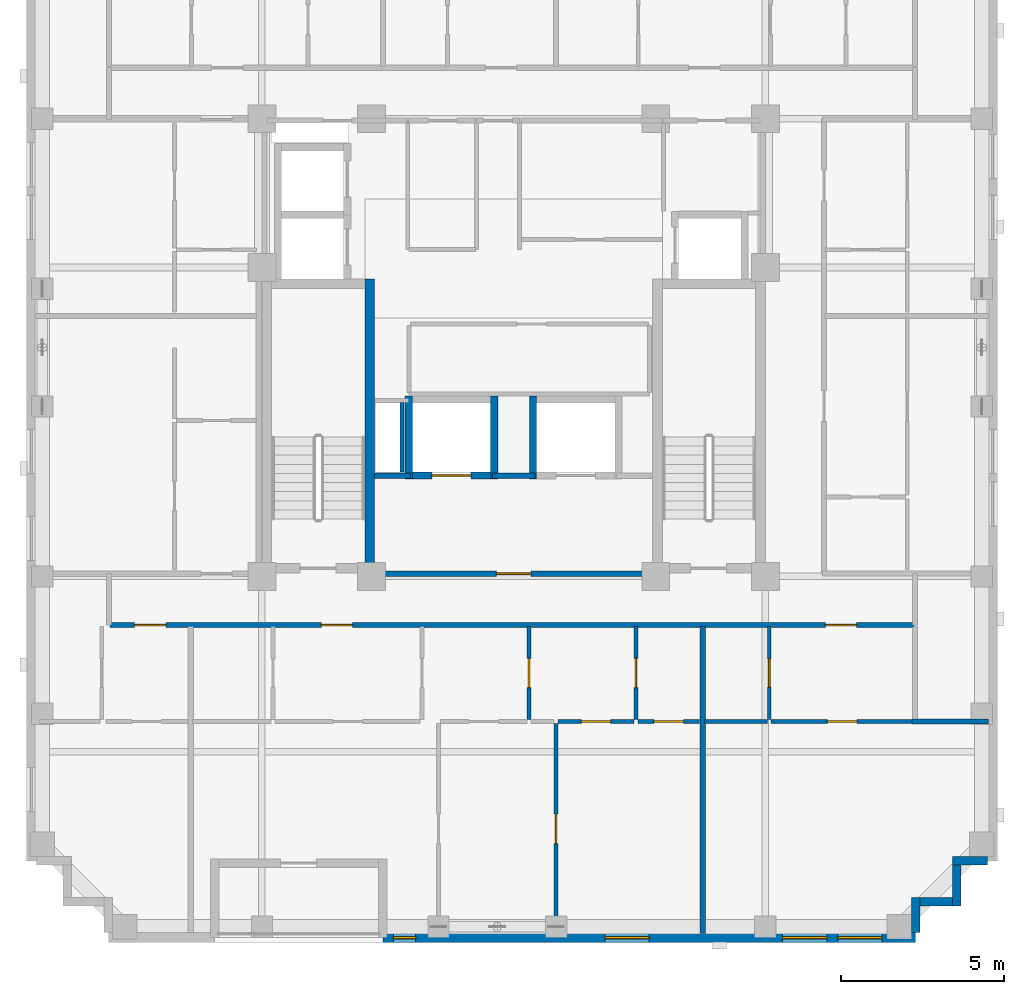
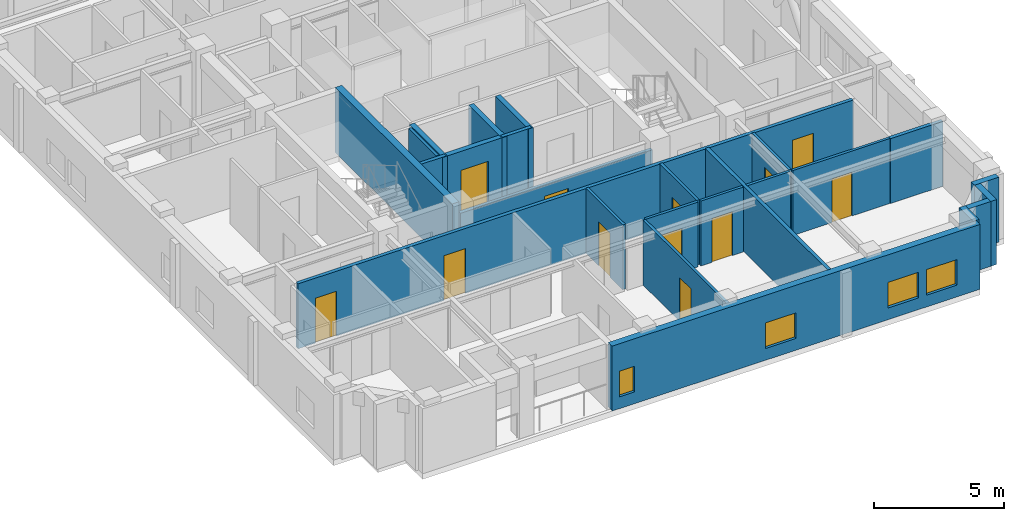
# One storey, part 3 of 11: 25 walls, 12 doors, 4 windows, 16 openings.
"""IFC4 building model written with IfcOpenShell, lengths in metres."""

from ifc_helpers import new_model, si_unit, derived_unit, direction, frame, frame_2d, origin, place, context, subcontext, project, spatial, rectangle, extrude, material, layer, layer_set, type_object, element, fill, save


model = new_model("IFC4")

# Units and contexts
model_context = context("Model", 3, precision=1e-05, world=origin(), true_north=direction((0.0, 1.0)))
body_context = subcontext(model_context, "Body", "Model", "MODEL_VIEW")
ifc_project = project(units=[si_unit("LENGTHUNIT", "METRE"), si_unit("AREAUNIT", "SQUARE_METRE"), si_unit("VOLUMEUNIT", "CUBIC_METRE"), si_unit("PLANEANGLEUNIT", "RADIAN"), si_unit("MASSUNIT", "GRAM", prefix="KILO"), derived_unit("THERMALTRANSMITTANCEUNIT", [(si_unit("MASSUNIT", "GRAM", prefix="KILO"), 1), (si_unit("TIMEUNIT", "SECOND"), -3), (si_unit("THERMODYNAMICTEMPERATUREUNIT", "KELVIN"), -1)])], contexts=[model_context])

# Site, building, storey
site_placement = place(None, origin())
site = spatial("IfcSite", under=ifc_project, at=site_placement, CompositionType="ELEMENT")
building_placement = place(site_placement, origin())
building = spatial("IfcBuilding", under=site, at=building_placement, Name="Korrvale Station Residences", CompositionType="ELEMENT")
storey_placement = place(building_placement, frame((0.0, 0.0, 187.60009765625)))
storey = spatial("IfcBuildingStorey", under=building, at=storey_placement, Name="L54", CompositionType="ELEMENT", Elevation=187.60009765625)

# Walls
ifc_material_1 = material(Name="Concrete C50/60", Category="concrete")
ifc_layer_1 = layer(ifc_material_1, 0.300048828125, Name="Concrete C50/60")
ifc_layer_set_1 = layer_set([ifc_layer_1], Name="Concrete C50/60")
wall_type_1 = type_object("IfcWallType", Name="WAL-CORE-300-C50", PredefinedType="SHEAR", material=ifc_layer_set_1)
wall_1_placement = place(storey_placement, frame((21.10009765625, 15.10009765625, 0.0), z_axis=(0.0, 0.0, 1.0), x_axis=(0.0, 1.0, 0.0)))
element("IfcWall", 1, at=wall_1_placement, inside=storey, type_object=wall_type_1, Name="L54 ST-1 Core Shear Wall East", PredefinedType="SHEAR", context=body_context, shape_type="SweptSolid", body=[
    extrude(rectangle(XDim=9.0, YDim=0.300048828125, at=frame_2d((4.5, 0.0))), origin(), (0.0, 0.0, 1.0), 3.039794921875),
])
ifc_material_2 = material(Name="Precast concrete C45/55", Category="concrete")
ifc_layer_2 = layer(ifc_material_2, 0.260009765625, Name="Precast concrete C45/55")
ifc_layer_set_2 = layer_set([ifc_layer_2], Name="Precast concrete C45/55")
wall_type_2 = type_object("IfcWallType", Name="WAL-EXT-LOG260", PredefinedType="SOLIDWALL", material=ifc_layer_set_2)
wall_2_placement = place(storey_placement, frame((39.998046875, 6.300048828125, 0.0), z_axis=(0.0, 0.0, 1.0), x_axis=(-1.0, 0.0, 0.0)))
element("IfcWall", 2, at=wall_2_placement, inside=storey, type_object=wall_type_2, Name="L54 Serrated Corner Precast Step SE-1", PredefinedType="SOLIDWALL", context=body_context, shape_type="SweptSolid", body=[
    extrude(rectangle(XDim=1.078125, YDim=0.260009765625, at=frame_2d((0.5390625, 0.0))), origin(), (0.0, 0.0, 1.0), 3.039794921875),
])
wall_3_placement = place(storey_placement, frame((39.050048828125, 6.16796875, 0.0), z_axis=(0.0, 0.0, 1.0), x_axis=(0.0, -1.0, 0.0)))
element("IfcWall", 3, at=wall_3_placement, inside=storey, type_object=wall_type_2, Name="L54 Serrated Corner Precast Step SE-2", PredefinedType="SOLIDWALL", context=body_context, shape_type="SweptSolid", body=[
    extrude(rectangle(XDim=1.248046875, YDim=0.260009765625, at=frame_2d((0.6240234375, 0.0))), origin(), (0.0, 0.0, 1.0), 3.039794921875),
])
wall_4_placement = place(storey_placement, frame((38.91796875, 5.050048828125, 0.0), z_axis=(0.0, 0.0, 1.0), x_axis=(-1.0, 0.0, 0.0)))
element("IfcWall", 4, at=wall_4_placement, inside=storey, type_object=wall_type_2, Name="L54 Serrated Corner Precast Step SE-3", PredefinedType="SOLIDWALL", context=body_context, shape_type="SweptSolid", body=[
    extrude(rectangle(XDim=0.986083984375, YDim=0.260009765625, at=frame_2d((0.4931640625, 0.0))), origin(), (0.0, 0.0, 1.0), 3.039794921875),
])
wall_5_placement = place(storey_placement, frame((37.800048828125, 5.179931640625, 0.0), z_axis=(0.0, 0.0, 1.0), x_axis=(0.0, -1.0, 0.0)))
element("IfcWall", 5, at=wall_5_placement, inside=storey, type_object=wall_type_2, Name="L54 Serrated Corner Precast Step SE-4", PredefinedType="SOLIDWALL", context=body_context, shape_type="SweptSolid", body=[
    extrude(rectangle(XDim=1.077880859375, YDim=0.260009765625, at=frame_2d((0.5390625, 0.0))), origin(), (0.0, 0.0, 1.0), 3.039794921875),
])

# Wall, openings, windows
ifc_layer_3 = layer(ifc_material_2, 0.300048828125, Name="Precast concrete C45/55")
ifc_layer_set_3 = layer_set([ifc_layer_3], Name="Precast concrete C45/55")
wall_type_3 = type_object("IfcWallType", Name="WAL-EXT-PC300", PredefinedType="SOLIDWALL", material=ifc_layer_set_3)
wall_6_placement = place(storey_placement, frame((37.800048828125, 3.949951171875, 0.0), z_axis=(0.0, 0.0, 1.0), x_axis=(-1.0, 0.0, 0.0)))
wall_6 = element("IfcWall", 6, at=wall_6_placement, inside=storey, type_object=wall_type_3, Name="L54 South Exterior Precast Wall 1", PredefinedType="SOLIDWALL", context=body_context, shape_type="SweptSolid", body=[
    extrude(rectangle(XDim=16.300048828125, YDim=0.300048828125, at=frame_2d((8.14990234375, 0.0))), origin(), (0.0, 0.0, 1.0), 3.039794921875),
])
opening_1_placement = place(wall_6_placement, frame((15.300048828125, 0.0, 0.550048828125)))
opening_1 = element("IfcOpeningElement", 7, at=opening_1_placement, cuts=wall_6, Name="Opening W-12", PredefinedType="OPENING", context=body_context, shape_type="SweptSolid", body=[
    extrude(rectangle(XDim=0.679931640625, YDim=1.199951171875, at=frame_2d((0.33984375, 0.60009765625))), frame((0.0, 0.16015625, 0.0), z_axis=(0.0, -1.0, 0.0), x_axis=(1.0, 0.0, 0.0)), (0.0, 0.0, 1.0), 0.320068359375),
])
opening_2_placement = place(wall_6_placement, frame((8.154052734375, 0.0, 0.550048828125)))
opening_2 = element("IfcOpeningElement", 8, at=opening_2_placement, cuts=wall_6, Name="Opening W-10", PredefinedType="OPENING", context=body_context, shape_type="SweptSolid", body=[
    extrude(rectangle(XDim=1.35009765625, YDim=1.199951171875, at=frame_2d((0.675048828125, 0.60009765625))), frame((0.0, 0.16015625, 0.0), z_axis=(0.0, -1.0, 0.0), x_axis=(1.0, 0.0, 0.0)), (0.0, 0.0, 1.0), 0.320068359375),
])
opening_3_placement = place(wall_6_placement, frame((2.720947265625, 0.0, 0.550048828125)))
opening_3 = element("IfcOpeningElement", 9, at=opening_3_placement, cuts=wall_6, Name="Opening W-10", PredefinedType="OPENING", context=body_context, shape_type="SweptSolid", body=[
    extrude(rectangle(XDim=1.35009765625, YDim=1.199951171875, at=frame_2d((0.675048828125, 0.60009765625))), frame((0.0, 0.16015625, 0.0), z_axis=(0.0, -1.0, 0.0), x_axis=(1.0, 0.0, 0.0)), (0.0, 0.0, 1.0), 0.320068359375),
])
opening_4_placement = place(wall_6_placement, frame((1.034912109375, 0.0, 0.550048828125)))
opening_4 = element("IfcOpeningElement", 10, at=opening_4_placement, cuts=wall_6, Name="Opening W-10", PredefinedType="OPENING", context=body_context, shape_type="SweptSolid", body=[
    extrude(rectangle(XDim=1.35009765625, YDim=1.199951171875, at=frame_2d((0.675048828125, 0.60009765625))), frame((0.0, 0.16015625, 0.0), z_axis=(0.0, -1.0, 0.0), x_axis=(1.0, 0.0, 0.0)), (0.0, 0.0, 1.0), 0.320068359375),
])
ifc_material_3 = material(Name="Thermally broken aluminium frame with triple low-e glazing", Category="aluminium")
window_type_1 = type_object("IfcWindowType", Name="WIN-W10", PartitioningType="SINGLE_PANEL", PredefinedType="WINDOW", material=ifc_material_3)
window_1_placement = place(opening_2_placement, origin())
window_1 = element("IfcWindow", 11, at=window_1_placement, inside=storey, type_object=window_type_1, Name="L54 Punched Window 03", OverallHeight=1.199951171875, OverallWidth=1.35009765625, PartitioningType="SINGLE_PANEL", PredefinedType="WINDOW", context=body_context, shape_type="SweptSolid", body=[
    extrude(rectangle(XDim=1.35009765625, YDim=1.199951171875, at=frame_2d((0.675048828125, 0.60009765625))), frame((0.0, 0.030029296875, 0.0), z_axis=(0.0, -1.0, 0.0), x_axis=(1.0, 0.0, 0.0)), (0.0, 0.0, 1.0), 0.06005859375),
])
fill(opening_2, window_1)
window_2_placement = place(opening_3_placement, origin())
window_2 = element("IfcWindow", 12, at=window_2_placement, inside=storey, type_object=window_type_1, Name="L54 Punched Window 04", OverallHeight=1.199951171875, OverallWidth=1.35009765625, PartitioningType="SINGLE_PANEL", PredefinedType="WINDOW", context=body_context, shape_type="SweptSolid", body=[
    extrude(rectangle(XDim=1.35009765625, YDim=1.199951171875, at=frame_2d((0.675048828125, 0.60009765625))), frame((0.0, 0.030029296875, 0.0), z_axis=(0.0, -1.0, 0.0), x_axis=(1.0, 0.0, 0.0)), (0.0, 0.0, 1.0), 0.06005859375),
])
fill(opening_3, window_2)
window_3_placement = place(opening_4_placement, origin())
window_3 = element("IfcWindow", 13, at=window_3_placement, inside=storey, type_object=window_type_1, Name="L54 Punched Window 05", OverallHeight=1.199951171875, OverallWidth=1.35009765625, PartitioningType="SINGLE_PANEL", PredefinedType="WINDOW", context=body_context, shape_type="SweptSolid", body=[
    extrude(rectangle(XDim=1.35009765625, YDim=1.199951171875, at=frame_2d((0.675048828125, 0.60009765625))), frame((0.0, 0.030029296875, 0.0), z_axis=(0.0, -1.0, 0.0), x_axis=(1.0, 0.0, 0.0)), (0.0, 0.0, 1.0), 0.06005859375),
])
fill(opening_4, window_3)
window_type_2 = type_object("IfcWindowType", Name="WIN-W12", PartitioningType="SINGLE_PANEL", PredefinedType="WINDOW", material=ifc_material_3)
window_4_placement = place(opening_1_placement, origin())
window_4 = element("IfcWindow", 14, at=window_4_placement, inside=storey, type_object=window_type_2, Name="L54 Punched Window 02", OverallHeight=1.199951171875, OverallWidth=0.679931640625, PartitioningType="SINGLE_PANEL", PredefinedType="WINDOW", context=body_context, shape_type="SweptSolid", body=[
    extrude(rectangle(XDim=0.679931640625, YDim=1.199951171875, at=frame_2d((0.33984375, 0.60009765625))), frame((0.0, 0.030029296875, 0.0), z_axis=(0.0, -1.0, 0.0), x_axis=(1.0, 0.0, 0.0)), (0.0, 0.0, 1.0), 0.06005859375),
])
fill(opening_1, window_4)

# Wall
ifc_material_4 = material(Name="Acoustic steel-stud gypsum board partition", Category="steel")
ifc_layer_4 = layer(ifc_material_4, 0.1201171875, Name="Acoustic steel-stud gypsum board partition")
ifc_layer_set_4 = layer_set([ifc_layer_4], Name="Acoustic steel-stud gypsum board partition")
wall_type_4 = type_object("IfcWallType", Name="WAL-PART-125", PredefinedType="PARTITIONING", material=ifc_layer_set_4)
wall_7_placement = place(storey_placement, frame((22.080078125, 18.199951171875, 0.0), z_axis=(0.0, 0.0, 1.0), x_axis=(0.0, 1.0, 0.0)))
element("IfcWall", 15, at=wall_7_placement, inside=storey, type_object=wall_type_4, Name="L54 Core Partition CW-RSWT", PredefinedType="PARTITIONING", context=body_context, shape_type="SweptSolid", body=[
    extrude(rectangle(XDim=2.1201171875, YDim=0.1201171875, at=frame_2d((1.06005859375, 0.0))), origin(), (0.0, 0.0, 1.0), 3.039794921875),
])

# Wall, opening, door
wall_8_placement = place(storey_placement, frame((25.969970703125, 10.6201171875, 0.0), z_axis=(0.0, 0.0, 1.0), x_axis=(0.0, 1.0, 0.0)))
wall_8 = element("IfcWall", 16, at=wall_8_placement, inside=storey, type_object=wall_type_4, Name="L54 Suite Partition U02-V23", PredefinedType="PARTITIONING", context=body_context, shape_type="SweptSolid", body=[
    extrude(rectangle(XDim=2.849853515625, YDim=0.1201171875, at=frame_2d((1.4248046875, 0.0))), origin(), (0.0, 0.0, 1.0), 3.039794921875),
])
opening_5_placement = place(wall_8_placement, frame((0.97509765625, 0.0, 0.0)))
opening_5 = element("IfcOpeningElement", 17, at=opening_5_placement, cuts=wall_8, Name="Opening DI-900", PredefinedType="OPENING", context=body_context, shape_type="SweptSolid", body=[
    extrude(rectangle(XDim=0.89990234375, YDim=2.050048828125, at=frame_2d((0.449951171875, 1.02490234375))), frame((0.0, 0.070068359375, 0.0), z_axis=(0.0, -1.0, 0.0), x_axis=(1.0, 0.0, 0.0)), (0.0, 0.0, 1.0), 0.14013671875),
])
ifc_material_5 = material(Name="Painted solid-core timber interior room door", Category="wood")
door_type_1 = type_object("IfcDoorType", Name="DR-INT-900", OperationType="NOTDEFINED", PredefinedType="DOOR", material=ifc_material_5)
door_1_placement = place(opening_5_placement, origin())
door_1 = element("IfcDoor", 18, at=door_1_placement, inside=storey, type_object=door_type_1, Name="L54 Apartment 1BR L54-U02 Home Study Room Door", OperationType="SINGLE_SWING_RIGHT", OverallHeight=2.050048828125, OverallWidth=0.89990234375, PredefinedType="DOOR", context=body_context, shape_type="SweptSolid", body=[
    extrude(rectangle(XDim=0.89990234375, YDim=2.050048828125, at=frame_2d((0.449951171875, 1.02490234375))), frame((0.0, 0.02490234375, 0.0), z_axis=(0.0, -1.0, 0.0), x_axis=(1.0, 0.0, 0.0)), (0.0, 0.0, 1.0), 0.050048828125),
])
fill(opening_5, door_1)

wall_9_placement = place(storey_placement, frame((29.239990234375, 10.6201171875, 0.0), z_axis=(0.0, 0.0, 1.0), x_axis=(0.0, 1.0, 0.0)))
wall_9 = element("IfcWall", 19, at=wall_9_placement, inside=storey, type_object=wall_type_4, Name="L54 Suite Partition U02-V34", PredefinedType="PARTITIONING", context=body_context, shape_type="SweptSolid", body=[
    extrude(rectangle(XDim=2.849853515625, YDim=0.1201171875, at=frame_2d((1.4248046875, 0.0))), origin(), (0.0, 0.0, 1.0), 3.039794921875),
])
opening_6_placement = place(wall_9_placement, frame((0.97509765625, 0.0, 0.0)))
opening_6 = element("IfcOpeningElement", 20, at=opening_6_placement, cuts=wall_9, Name="Opening DI-900", PredefinedType="OPENING", context=body_context, shape_type="SweptSolid", body=[
    extrude(rectangle(XDim=0.89990234375, YDim=2.050048828125, at=frame_2d((0.449951171875, 1.02490234375))), frame((0.0, 0.070068359375, 0.0), z_axis=(0.0, -1.0, 0.0), x_axis=(1.0, 0.0, 0.0)), (0.0, 0.0, 1.0), 0.14013671875),
])
door_2_placement = place(opening_6_placement, origin())
door_2 = element("IfcDoor", 21, at=door_2_placement, inside=storey, type_object=door_type_1, Name="L54 Apartment 1BR L54-U02 Home Study Room Door", OperationType="SINGLE_SWING_RIGHT", OverallHeight=2.050048828125, OverallWidth=0.89990234375, PredefinedType="DOOR", context=body_context, shape_type="SweptSolid", body=[
    extrude(rectangle(XDim=0.89990234375, YDim=2.050048828125, at=frame_2d((0.449951171875, 1.02490234375))), frame((0.0, 0.02490234375, 0.0), z_axis=(0.0, -1.0, 0.0), x_axis=(1.0, 0.0, 0.0)), (0.0, 0.0, 1.0), 0.050048828125),
])
fill(opening_6, door_2)

wall_10_placement = place(storey_placement, frame((26.860107421875, 10.56005859375, 0.0), z_axis=(0.0, 0.0, 1.0), x_axis=(1.0, 0.0, 0.0)))
wall_10 = element("IfcWall", 22, at=wall_10_placement, inside=storey, type_object=wall_type_4, Name="L54 Suite Partition U02-H37", PredefinedType="PARTITIONING", context=body_context, shape_type="SweptSolid", body=[
    extrude(rectangle(XDim=2.31982421875, YDim=0.1201171875, at=frame_2d((1.159912109375, 0.0))), origin(), (0.0, 0.0, 1.0), 3.039794921875),
])
opening_7_placement = place(wall_10_placement, frame((0.7099609375, 0.0, 0.0)))
opening_7 = element("IfcOpeningElement", 23, at=opening_7_placement, cuts=wall_10, Name="Opening DI-900", PredefinedType="OPENING", context=body_context, shape_type="SweptSolid", body=[
    extrude(rectangle(XDim=0.89990234375, YDim=2.050048828125, at=frame_2d((0.449951171875, 1.02490234375))), frame((0.0, 0.070068359375, 0.0), z_axis=(0.0, -1.0, 0.0), x_axis=(1.0, 0.0, 0.0)), (0.0, 0.0, 1.0), 0.14013671875),
])
door_3_placement = place(opening_7_placement, origin())
door_3 = element("IfcDoor", 24, at=door_3_placement, inside=storey, type_object=door_type_1, Name="L54 Apartment 1BR L54-U02 Home Study Room Door", OperationType="SINGLE_SWING_LEFT", OverallHeight=2.050048828125, OverallWidth=0.89990234375, PredefinedType="DOOR", context=body_context, shape_type="SweptSolid", body=[
    extrude(rectangle(XDim=0.89990234375, YDim=2.050048828125, at=frame_2d((0.449951171875, 1.02490234375))), frame((0.0, 0.02490234375, 0.0), z_axis=(0.0, -1.0, 0.0), x_axis=(1.0, 0.0, 0.0)), (0.0, 0.0, 1.0), 0.050048828125),
])
fill(opening_7, door_3)

wall_11_placement = place(storey_placement, frame((29.300048828125, 10.56005859375, 0.0), z_axis=(0.0, 0.0, 1.0), x_axis=(1.0, 0.0, 0.0)))
wall_11 = element("IfcWall", 25, at=wall_11_placement, inside=storey, type_object=wall_type_4, Name="L54 Suite Partition U02-H47", PredefinedType="PARTITIONING", context=body_context, shape_type="SweptSolid", body=[
    extrude(rectangle(XDim=1.885986328125, YDim=0.1201171875, at=frame_2d((0.94287109375, 0.0))), origin(), (0.0, 0.0, 1.0), 3.039794921875),
])
opening_8_placement = place(wall_11_placement, frame((0.492919921875, 0.0, 0.0)))
opening_8 = element("IfcOpeningElement", 26, at=opening_8_placement, cuts=wall_11, Name="Opening DI-900", PredefinedType="OPENING", context=body_context, shape_type="SweptSolid", body=[
    extrude(rectangle(XDim=0.89990234375, YDim=2.050048828125, at=frame_2d((0.449951171875, 1.02490234375))), frame((0.0, 0.070068359375, 0.0), z_axis=(0.0, -1.0, 0.0), x_axis=(1.0, 0.0, 0.0)), (0.0, 0.0, 1.0), 0.14013671875),
])
door_4_placement = place(opening_8_placement, origin())
door_4 = element("IfcDoor", 27, at=door_4_placement, inside=storey, type_object=door_type_1, Name="L54 Apartment 1BR L54-U02 Utility and Laundry Room Door", OperationType="SINGLE_SWING_RIGHT", OverallHeight=2.050048828125, OverallWidth=0.89990234375, PredefinedType="DOOR", context=body_context, shape_type="SweptSolid", body=[
    extrude(rectangle(XDim=0.89990234375, YDim=2.050048828125, at=frame_2d((0.449951171875, 1.02490234375))), frame((0.0, 0.02490234375, 0.0), z_axis=(0.0, -1.0, 0.0), x_axis=(1.0, 0.0, 0.0)), (0.0, 0.0, 1.0), 0.050048828125),
])
fill(opening_8, door_4)

wall_12_placement = place(storey_placement, frame((26.800048828125, 4.080078125, 0.0), z_axis=(0.0, 0.0, 1.0), x_axis=(0.0, 1.0, 0.0)))
wall_12 = element("IfcWall", 28, at=wall_12_placement, inside=storey, type_object=wall_type_4, Name="L54 Suite Partition U02-V67", PredefinedType="PARTITIONING", context=body_context, shape_type="SweptSolid", body=[
    extrude(rectangle(XDim=6.419921875, YDim=0.1201171875, at=frame_2d((3.2099609375, 0.0))), origin(), (0.0, 0.0, 1.0), 3.039794921875),
])
opening_9_placement = place(wall_12_placement, frame((2.7451171875, 0.0, 0.0)))
opening_9 = element("IfcOpeningElement", 29, at=opening_9_placement, cuts=wall_12, Name="Opening DI-900", PredefinedType="OPENING", context=body_context, shape_type="SweptSolid", body=[
    extrude(rectangle(XDim=0.89990234375, YDim=2.050048828125, at=frame_2d((0.449951171875, 1.02490234375))), frame((0.0, 0.070068359375, 0.0), z_axis=(0.0, -1.0, 0.0), x_axis=(1.0, 0.0, 0.0)), (0.0, 0.0, 1.0), 0.14013671875),
])
door_5_placement = place(opening_9_placement, origin())
door_5 = element("IfcDoor", 30, at=door_5_placement, inside=storey, type_object=door_type_1, Name="L54 Apartment 1BR L54-U02 Wardrobe Storage Room Door", OperationType="SINGLE_SWING_RIGHT", OverallHeight=2.050048828125, OverallWidth=0.89990234375, PredefinedType="DOOR", context=body_context, shape_type="SweptSolid", body=[
    extrude(rectangle(XDim=0.89990234375, YDim=2.050048828125, at=frame_2d((0.449951171875, 1.02490234375))), frame((0.0, 0.02490234375, 0.0), z_axis=(0.0, -1.0, 0.0), x_axis=(1.0, 0.0, 0.0)), (0.0, 0.0, 1.0), 0.050048828125),
])
fill(opening_9, door_5)

wall_13_placement = place(storey_placement, frame((33.318115234375, 10.6201171875, 0.0), z_axis=(0.0, 0.0, 1.0), x_axis=(0.0, 1.0, 0.0)))
wall_13 = element("IfcWall", 31, at=wall_13_placement, inside=storey, type_object=wall_type_4, Name="L54 Suite Partition U03-V01", PredefinedType="PARTITIONING", context=body_context, shape_type="SweptSolid", body=[
    extrude(rectangle(XDim=2.849853515625, YDim=0.1201171875, at=frame_2d((1.4248046875, 0.0))), origin(), (0.0, 0.0, 1.0), 3.039794921875),
])
opening_10_placement = place(wall_13_placement, frame((0.9951171875, 0.0, 0.0)))
opening_10 = element("IfcOpeningElement", 32, at=opening_10_placement, cuts=wall_13, Name="Opening DB-860", PredefinedType="OPENING", context=body_context, shape_type="SweptSolid", body=[
    extrude(rectangle(XDim=0.860107421875, YDim=2.050048828125, at=frame_2d((0.43017578125, 1.02490234375))), frame((0.0, 0.070068359375, 0.0), z_axis=(0.0, -1.0, 0.0), x_axis=(1.0, 0.0, 0.0)), (0.0, 0.0, 1.0), 0.14013671875),
])
ifc_material_6 = material(Name="Moisture-resistant solid-core bathroom door", Category="timber")
door_type_2 = type_object("IfcDoorType", Name="DR-BATH-860", OperationType="NOTDEFINED", PredefinedType="DOOR", material=ifc_material_6)
door_6_placement = place(opening_10_placement, origin())
door_6 = element("IfcDoor", 33, at=door_6_placement, inside=storey, type_object=door_type_2, Name="L54 Studio Apartment L54-U03 Bathroom Door", OperationType="SINGLE_SWING_LEFT", OverallHeight=2.050048828125, OverallWidth=0.860107421875, PredefinedType="DOOR", context=body_context, shape_type="SweptSolid", body=[
    extrude(rectangle(XDim=0.860107421875, YDim=2.050048828125, at=frame_2d((0.43017578125, 1.02490234375))), frame((0.0, 0.02490234375, 0.0), z_axis=(0.0, -1.0, 0.0), x_axis=(1.0, 0.0, 0.0)), (0.0, 0.0, 1.0), 0.050048828125),
])
fill(opening_10, door_6)

# Wall
wall_14_placement = place(storey_placement, frame((31.345947265625, 10.56005859375, 0.0), z_axis=(0.0, 0.0, 1.0), x_axis=(1.0, 0.0, 0.0)))
element("IfcWall", 34, at=wall_14_placement, inside=storey, type_object=wall_type_4, Name="L54 Suite Partition U03-H02", PredefinedType="PARTITIONING", context=body_context, shape_type="SweptSolid", body=[
    extrude(rectangle(XDim=1.912109375, YDim=0.1201171875, at=frame_2d((0.9560546875, 0.0))), origin(), (0.0, 0.0, 1.0), 3.039794921875),
])

# Wall, opening, door
wall_15_placement = place(storey_placement, frame((33.3779296875, 10.56005859375, 0.0), z_axis=(0.0, 0.0, 1.0), x_axis=(1.0, 0.0, 0.0)))
wall_15 = element("IfcWall", 35, at=wall_15_placement, inside=storey, type_object=wall_type_4, Name="L54 Suite Partition U03-H12", PredefinedType="PARTITIONING", context=body_context, shape_type="SweptSolid", body=[
    extrude(rectangle(XDim=4.342041015625, YDim=0.1201171875, at=frame_2d((2.1708984375, 0.0))), origin(), (0.0, 0.0, 1.0), 3.039794921875),
])
opening_11_placement = place(wall_15_placement, frame((1.720947265625, 0.0, 0.0)))
opening_11 = element("IfcOpeningElement", 36, at=opening_11_placement, cuts=wall_15, Name="Opening DI-900", PredefinedType="OPENING", context=body_context, shape_type="SweptSolid", body=[
    extrude(rectangle(XDim=0.89990234375, YDim=2.050048828125, at=frame_2d((0.449951171875, 1.02490234375))), frame((0.0, 0.070068359375, 0.0), z_axis=(0.0, -1.0, 0.0), x_axis=(1.0, 0.0, 0.0)), (0.0, 0.0, 1.0), 0.14013671875),
])
door_7_placement = place(opening_11_placement, origin())
door_7 = element("IfcDoor", 37, at=door_7_placement, inside=storey, type_object=door_type_1, Name="L54 Studio Apartment L54-U03 Kitchen Door", OperationType="SINGLE_SWING_RIGHT", OverallHeight=2.050048828125, OverallWidth=0.89990234375, PredefinedType="DOOR", context=body_context, shape_type="SweptSolid", body=[
    extrude(rectangle(XDim=0.89990234375, YDim=2.050048828125, at=frame_2d((0.449951171875, 1.02490234375))), frame((0.0, 0.02490234375, 0.0), z_axis=(0.0, -1.0, 0.0), x_axis=(1.0, 0.0, 0.0)), (0.0, 0.0, 1.0), 0.050048828125),
])
fill(opening_11, door_7)

ifc_material_7 = material(Name="Fire-rated twin-stud gypsum and mineral wool shaftwall assembly", Category="gypsum")
ifc_layer_5 = layer(ifc_material_7, 0.159912109375, Name="Fire-rated twin-stud gypsum and mineral wool shaftwall assembly")
ifc_layer_set_5 = layer_set([ifc_layer_5], Name="Fire-rated twin-stud gypsum and mineral wool shaftwall assembly")
wall_type_5 = type_object("IfcWallType", Name="WAL-PART-200", PredefinedType="PARTITIONING", material=ifc_layer_set_5)
wall_16_placement = place(storey_placement, frame((21.25, 15.080078125, 0.0), z_axis=(0.0, 0.0, 1.0), x_axis=(1.0, 0.0, 0.0)))
wall_16 = element("IfcWall", 38, at=wall_16_placement, inside=storey, type_object=wall_type_5, Name="L54 Core Partition CW-FFL-S", PredefinedType="PARTITIONING", context=body_context, shape_type="SweptSolid", body=[
    extrude(rectangle(XDim=8.5, YDim=0.159912109375, at=frame_2d((4.25, 0.0))), origin(), (0.0, 0.0, 1.0), 2.555908203125),
])
opening_12_placement = place(wall_16_placement, frame((3.72509765625, 0.0, 0.0)))
opening_12 = element("IfcOpeningElement", 39, at=opening_12_placement, cuts=wall_16, Name="Opening FD-1050", PredefinedType="OPENING", context=body_context, shape_type="SweptSolid", body=[
    extrude(rectangle(XDim=1.050048828125, YDim=2.050048828125, at=frame_2d((0.52490234375, 1.02490234375))), frame((0.0, 0.08984375, 0.0), z_axis=(0.0, -1.0, 0.0), x_axis=(1.0, 0.0, 0.0)), (0.0, 0.0, 1.0), 0.179931640625),
])
ifc_material_8 = material(Name="Fire-rated mineral-core timber lobby door", Category="wood")
door_type_3 = type_object("IfcDoorType", Name="DR-CORE-1050", OperationType="NOTDEFINED", PredefinedType="DOOR", material=ifc_material_8)
door_8_placement = place(opening_12_placement, origin())
door_8 = element("IfcDoor", 40, at=door_8_placement, inside=storey, type_object=door_type_3, Name="L54 Firefighting Lobby Entry Door", OperationType="SINGLE_SWING_RIGHT", OverallHeight=2.050048828125, OverallWidth=1.050048828125, PredefinedType="DOOR", context=body_context, shape_type="SweptSolid", body=[
    extrude(rectangle(XDim=1.050048828125, YDim=2.050048828125, at=frame_2d((0.52490234375, 1.02490234375))), frame((0.0, 0.02490234375, 0.0), z_axis=(0.0, -1.0, 0.0), x_axis=(1.0, 0.0, 0.0)), (0.0, 0.0, 1.0), 0.050048828125),
])
fill(opening_12, door_8)

# Walls
wall_17_placement = place(storey_placement, frame((21.25, 18.080078125, 0.0), z_axis=(0.0, 0.0, 1.0), x_axis=(1.0, 0.0, 0.0)))
element("IfcWall", 41, at=wall_17_placement, inside=storey, type_object=wall_type_5, Name="L54 Core Partition CW-FFL-N1", PredefinedType="PARTITIONING", context=body_context, shape_type="SweptSolid", body=[
    extrude(rectangle(XDim=1.10009765625, YDim=0.159912109375, at=frame_2d((0.550048828125, 0.0))), origin(), (0.0, 0.0, 1.0), 3.039794921875),
])
wall_18_placement = place(storey_placement, frame((24.85009765625, 18.080078125, 0.0), z_axis=(0.0, 0.0, 1.0), x_axis=(1.0, 0.0, 0.0)))
element("IfcWall", 42, at=wall_18_placement, inside=storey, type_object=wall_type_5, Name="L54 Core Partition CW-FFL-N2", PredefinedType="PARTITIONING", context=body_context, shape_type="SweptSolid", body=[
    extrude(rectangle(XDim=1.2998046875, YDim=0.159912109375, at=frame_2d((0.64990234375, 0.0))), origin(), (0.0, 0.0, 1.0), 3.039794921875),
])
wall_19_placement = place(storey_placement, frame((37.679931640625, 10.56005859375, 0.0), z_axis=(0.0, 0.0, 1.0), x_axis=(1.0, 0.0, 0.0)))
element("IfcWall", 43, at=wall_19_placement, inside=storey, type_object=wall_type_5, Name="L54 Corner Step Wall U03-R", PredefinedType="PARTITIONING", context=body_context, shape_type="SweptSolid", body=[
    extrude(rectangle(XDim=2.340087890625, YDim=0.159912109375, at=frame_2d((1.169921875, 0.0))), origin(), (0.0, 0.0, 1.0), 3.039794921875),
])
wall_20_placement = place(storey_placement, frame((31.285888671875, 4.080078125, 0.0), z_axis=(0.0, 0.0, 1.0), x_axis=(0.0, 1.0, 0.0)))
element("IfcWall", 44, at=wall_20_placement, inside=storey, type_object=wall_type_5, Name="L54 Demising Wall U03-W", PredefinedType="PARTITIONING", context=body_context, shape_type="SweptSolid", body=[
    extrude(rectangle(XDim=9.389892578125, YDim=0.159912109375, at=frame_2d((4.69482421875, 0.0))), origin(), (0.0, 0.0, 1.0), 3.039794921875),
])

# Wall, openings, doors
wall_21_placement = place(storey_placement, frame((13.14990234375, 13.510009765625, 0.0), z_axis=(0.0, 0.0, 1.0), x_axis=(1.0, 0.0, 0.0)))
wall_21 = element("IfcWall", 45, at=wall_21_placement, inside=storey, type_object=wall_type_5, Name="L54 Rated Corridor Wall S", PredefinedType="PARTITIONING", context=body_context, shape_type="SweptSolid", body=[
    extrude(rectangle(XDim=24.60009765625, YDim=0.159912109375, at=frame_2d((12.300048828125, 0.0))), origin(), (0.0, 0.0, 1.0), 3.039794921875),
])
opening_13_placement = place(wall_21_placement, frame((0.760009765625, 0.0, 0.0)))
opening_13 = element("IfcOpeningElement", 46, at=opening_13_placement, cuts=wall_21, Name="Opening UD-950", PredefinedType="OPENING", context=body_context, shape_type="SweptSolid", body=[
    extrude(rectangle(XDim=0.949951171875, YDim=2.10009765625, at=frame_2d((0.47509765625, 1.050048828125))), frame((0.0, 0.08984375, 0.0), z_axis=(0.0, -1.0, 0.0), x_axis=(1.0, 0.0, 0.0)), (0.0, 0.0, 1.0), 0.179931640625),
])
opening_14_placement = place(wall_21_placement, frame((6.465087890625, 0.0, 0.0)))
opening_14 = element("IfcOpeningElement", 47, at=opening_14_placement, cuts=wall_21, Name="Opening UD-950", PredefinedType="OPENING", context=body_context, shape_type="SweptSolid", body=[
    extrude(rectangle(XDim=0.949951171875, YDim=2.10009765625, at=frame_2d((0.47509765625, 1.050048828125))), frame((0.0, 0.08984375, 0.0), z_axis=(0.0, -1.0, 0.0), x_axis=(1.0, 0.0, 0.0)), (0.0, 0.0, 1.0), 0.179931640625),
])
opening_15_placement = place(wall_21_placement, frame((21.888916015625, 0.0, 0.0)))
opening_15 = element("IfcOpeningElement", 48, at=opening_15_placement, cuts=wall_21, Name="Opening UD-950", PredefinedType="OPENING", context=body_context, shape_type="SweptSolid", body=[
    extrude(rectangle(XDim=0.949951171875, YDim=2.10009765625, at=frame_2d((0.47509765625, 1.050048828125))), frame((0.0, 0.08984375, 0.0), z_axis=(0.0, -1.0, 0.0), x_axis=(1.0, 0.0, 0.0)), (0.0, 0.0, 1.0), 0.179931640625),
])
ifc_material_9 = material(Name="Solid-core acoustic oak apartment entrance door", Category="timber")
door_type_4 = type_object("IfcDoorType", Name="DR-UNIT-950", OperationType="NOTDEFINED", PredefinedType="DOOR", material=ifc_material_9)
door_9_placement = place(opening_13_placement, origin())
door_9 = element("IfcDoor", 49, at=door_9_placement, inside=storey, type_object=door_type_4, Name="L54 Apartment L54-U01 Entrance Door", OperationType="SINGLE_SWING_RIGHT", OverallHeight=2.10009765625, OverallWidth=0.949951171875, PredefinedType="DOOR", context=body_context, shape_type="SweptSolid", body=[
    extrude(rectangle(XDim=0.949951171875, YDim=2.10009765625, at=frame_2d((0.47509765625, 1.050048828125))), frame((0.0, 0.02490234375, 0.0), z_axis=(0.0, -1.0, 0.0), x_axis=(1.0, 0.0, 0.0)), (0.0, 0.0, 1.0), 0.050048828125),
])
fill(opening_13, door_9)
door_10_placement = place(opening_14_placement, origin())
door_10 = element("IfcDoor", 50, at=door_10_placement, inside=storey, type_object=door_type_4, Name="L54 Apartment L54-U02 Entrance Door", OperationType="SINGLE_SWING_LEFT", OverallHeight=2.10009765625, OverallWidth=0.949951171875, PredefinedType="DOOR", context=body_context, shape_type="SweptSolid", body=[
    extrude(rectangle(XDim=0.949951171875, YDim=2.10009765625, at=frame_2d((0.47509765625, 1.050048828125))), frame((0.0, 0.02490234375, 0.0), z_axis=(0.0, -1.0, 0.0), x_axis=(1.0, 0.0, 0.0)), (0.0, 0.0, 1.0), 0.050048828125),
])
fill(opening_14, door_10)
door_11_placement = place(opening_15_placement, origin())
door_11 = element("IfcDoor", 51, at=door_11_placement, inside=storey, type_object=door_type_4, Name="L54 Apartment L54-U03 Entrance Door", OperationType="SINGLE_SWING_RIGHT", OverallHeight=2.10009765625, OverallWidth=0.949951171875, PredefinedType="DOOR", context=body_context, shape_type="SweptSolid", body=[
    extrude(rectangle(XDim=0.949951171875, YDim=2.10009765625, at=frame_2d((0.47509765625, 1.050048828125))), frame((0.0, 0.02490234375, 0.0), z_axis=(0.0, -1.0, 0.0), x_axis=(1.0, 0.0, 0.0)), (0.0, 0.0, 1.0), 0.050048828125),
])
fill(opening_15, door_11)

# Wall, opening, door
ifc_layer_6 = layer(ifc_material_1, 0.219970703125, Name="Concrete C50/60")
ifc_layer_set_6 = layer_set([ifc_layer_6], Name="Concrete C50/60")
wall_type_6 = type_object("IfcWallType", Name="WAL-SHAFT-220-C50", PredefinedType="SHEAR", material=ifc_layer_set_6)
wall_22_placement = place(storey_placement, frame((22.39990234375, 18.090087890625, 0.0), z_axis=(0.0, 0.0, 1.0), x_axis=(1.0, 0.0, 0.0)))
wall_22 = element("IfcWall", 52, at=wall_22_placement, inside=storey, type_object=wall_type_6, Name="L54 Elevator FFL-1 Hoistway Wall South", PredefinedType="SHEAR", context=body_context, shape_type="SweptSolid", body=[
    extrude(rectangle(XDim=2.400146484375, YDim=0.219970703125, at=frame_2d((1.2001953125, 0.0))), origin(), (0.0, 0.0, 1.0), 3.039794921875),
])
opening_16_placement = place(wall_22_placement, frame((0.60009765625, 0.0, 0.0)))
opening_16 = element("IfcOpeningElement", 53, at=opening_16_placement, cuts=wall_22, Name="Opening LD-FF1200", PredefinedType="OPENING", context=body_context, shape_type="SweptSolid", body=[
    extrude(rectangle(XDim=1.199951171875, YDim=2.14990234375, at=frame_2d((0.60009765625, 1.074951171875))), frame((0.0, 0.1201171875, 0.0), z_axis=(0.0, -1.0, 0.0), x_axis=(1.0, 0.0, 0.0)), (0.0, 0.0, 1.0), 0.239990234375),
])
ifc_material_10 = material(Name="Stainless-steel firefighter elevator landing sliding door", Category="steel")
door_type_5 = type_object("IfcDoorType", Name="DR-LIFT-FF1200", OperationType="SLIDING_TO_LEFT", PredefinedType="DOOR", material=ifc_material_10)
door_12_placement = place(opening_16_placement, origin())
door_12 = element("IfcDoor", 54, at=door_12_placement, inside=storey, type_object=door_type_5, Name="L54 Elevator FFL-1 Sliding Landing Door", OperationType="SLIDING_TO_LEFT", OverallHeight=2.14990234375, OverallWidth=1.199951171875, PredefinedType="DOOR", context=body_context, shape_type="SweptSolid", body=[
    extrude(rectangle(XDim=1.199951171875, YDim=2.14990234375, at=frame_2d((0.60009765625, 1.074951171875))), frame((0.0, 0.02490234375, 0.0), z_axis=(0.0, -1.0, 0.0), x_axis=(1.0, 0.0, 0.0)), (0.0, 0.0, 1.0), 0.050048828125),
])
fill(opening_16, door_12)

# Walls
for number, where, z_axis, x_axis, name in (
    (55, (22.2900390625, 17.97998046875, 0.0), (0.0, 0.0, 1.0), (0.0, 1.0, 0.0), "L54 Elevator FFL-1 Hoistway Wall West"),
    (56, (24.909912109375, 17.97998046875, 0.0), (0.0, 0.0, 1.0), (0.0, 1.0, 0.0), "L54 Elevator FFL-1 Hoistway Wall East"),
    (57, (26.090087890625, 17.97998046875, 0.0), (0.0, 0.0, 1.0), (0.0, 1.0, 0.0), "L54 Elevator FFL-2 Hoistway Wall West"),
):
    element("IfcWall", number, at=place(storey_placement, frame(where, z_axis=z_axis, x_axis=x_axis)), inside=storey, type_object=wall_type_6, Name=name, PredefinedType="SHEAR", context=body_context, shape_type="SweptSolid", body=[
        extrude(rectangle(XDim=2.5400390625, YDim=0.219970703125, at=frame_2d((1.27001953125, 0.0))), origin(), (0.0, 0.0, 1.0), 3.039794921875),
    ])

save(model, "model.ifc")
